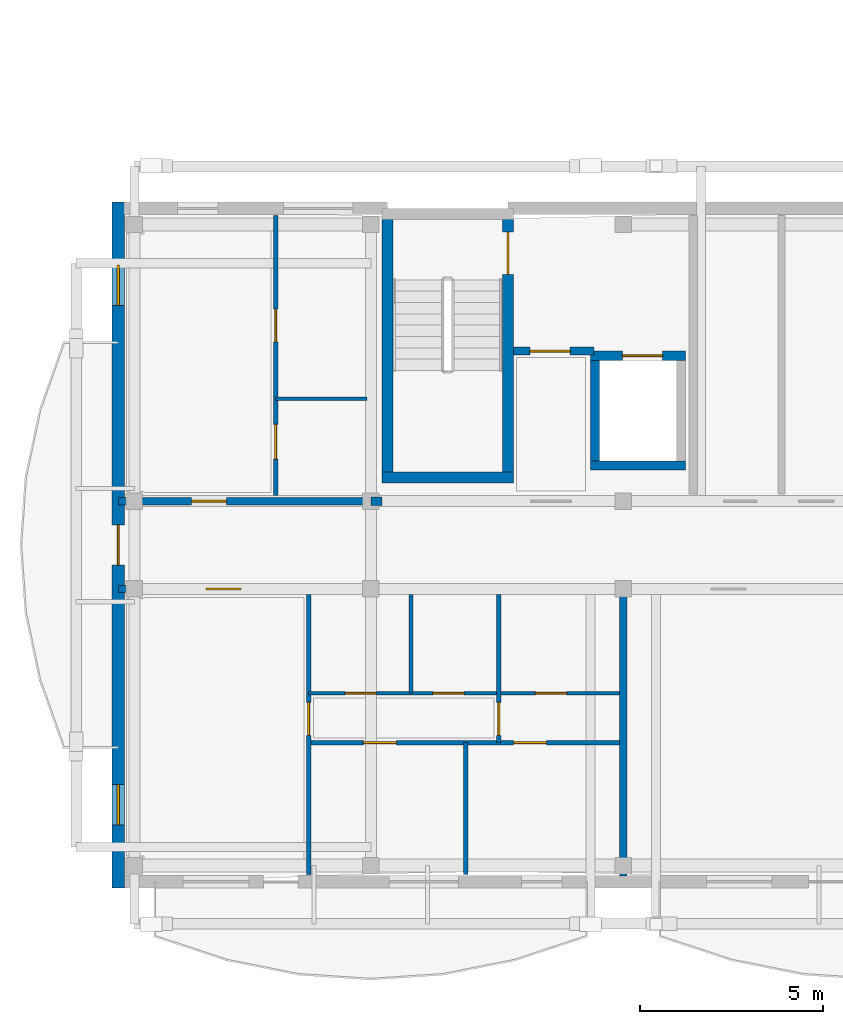
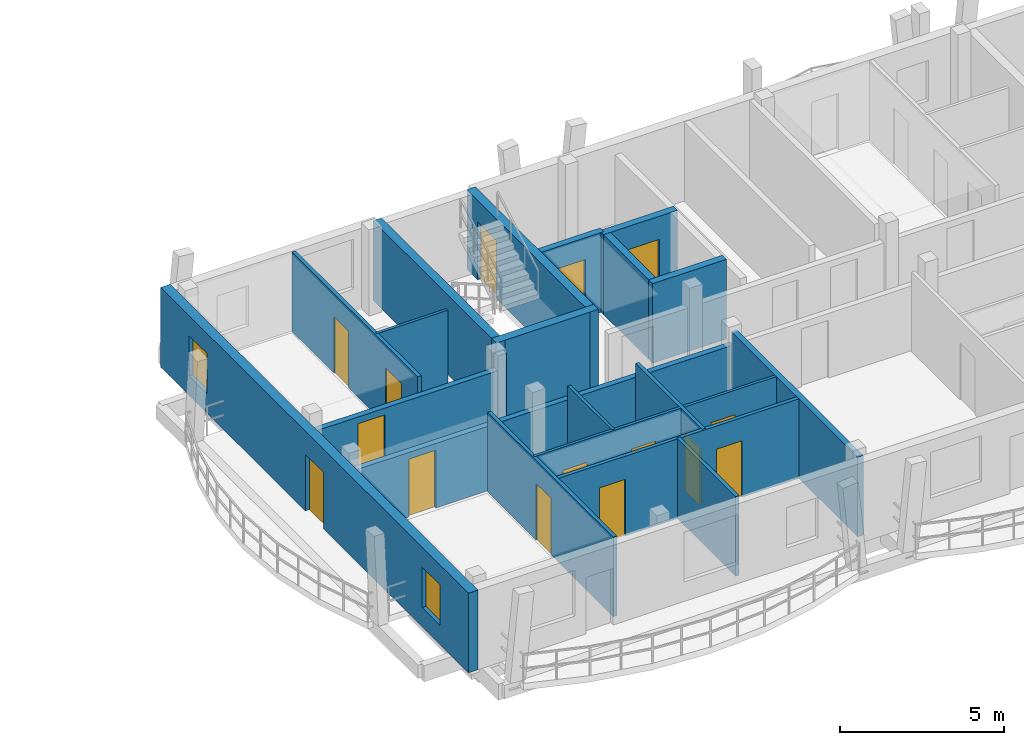
# One storey, part 13 of 33: 20 walls, 15 doors, 2 windows, 17 openings.
"""IFC4 building model written with IfcOpenShell, lengths in metres."""

from ifc_helpers import new_model, si_unit, direction, frame, frame_2d, origin, origin_with_axes, place, context, subcontext, project, spatial, rectangle, extrude, material, layer, layer_set, type_object, element, fill, save


model = new_model("IFC4")

# Units and contexts
model_context = context("Model", 3, precision=1e-05, world=origin(), true_north=direction((0.0, 1.0)))
body_context = subcontext(model_context, "Body", "Model", "MODEL_VIEW")
ifc_project = project(units=[si_unit("LENGTHUNIT", "METRE"), si_unit("AREAUNIT", "SQUARE_METRE"), si_unit("VOLUMEUNIT", "CUBIC_METRE"), si_unit("PLANEANGLEUNIT", "RADIAN"), si_unit("MASSUNIT", "GRAM", prefix="KILO")], contexts=[model_context])

# Site, building, storey
site_placement = place(None, origin())
site = spatial("IfcSite", under=ifc_project, at=site_placement, CompositionType="ELEMENT")
building_placement = place(site_placement, origin())
building = spatial("IfcBuilding", under=site, at=building_placement, Name="Zavelmont Quarter", CompositionType="ELEMENT")
storey_placement = place(building_placement, frame((0.0, 0.0, 30.39990234375)))
storey = spatial("IfcBuildingStorey", under=building, at=storey_placement, Name="L09", CompositionType="ELEMENT", Elevation=30.39990234375)

# Wall, openings, door, windows
ifc_material_1 = material(Name="Natural Belgian limestone", Category="masonry")
ifc_layer_1 = layer(ifc_material_1, 0.340087890625)
ifc_layer_set_1 = layer_set([ifc_layer_1], Name="Natural Belgian limestone")
wall_type_1 = type_object("IfcWallType", Name="EW03", PredefinedType="STANDARD", material=ifc_layer_set_1)
wall_1_placement = place(storey_placement, frame((0.0, -0.169921875, 0.0), z_axis=(0.0, 0.0, 1.0), x_axis=(0.0, 1.0, 0.0)))
wall_1 = element("IfcWall", 1, at=wall_1_placement, inside=storey, type_object=wall_type_1, Name="L09 exterior limestone wall EW03", PredefinedType="STANDARD", context=body_context, shape_type="SweptSolid", body=[
    extrude(rectangle(XDim=18.739990234375, YDim=0.340087890625, at=frame_2d((9.3701171875, 0.0))), origin(), (0.0, 0.0, 1.0), 2.960205078125),
])
opening_1_placement = place(wall_1_placement, frame((8.820068359375, 0.0, 0.0)))
opening_1 = element("IfcOpeningElement", 2, at=opening_1_placement, cuts=wall_1, Name="Opening DR04B", PredefinedType="OPENING", context=body_context, shape_type="SweptSolid", body=[
    extrude(rectangle(XDim=1.10009765625, YDim=2.10009765625, at=frame_2d((0.550048828125, 1.050048828125))), frame((0.0, 0.18212890625, 0.0), z_axis=(0.0, -1.0, 0.0), x_axis=(1.0, 0.0, 0.0)), (0.0, 0.0, 1.0), 0.364013671875),
])
opening_2_placement = place(wall_1_placement, frame((1.719970703125, 0.0, 0.719970703125)))
opening_2 = element("IfcOpeningElement", 3, at=opening_2_placement, cuts=wall_1, Name="Opening WN09", PredefinedType="OPENING", context=body_context, shape_type="SweptSolid", body=[
    extrude(rectangle(XDim=1.10009765625, YDim=1.5, at=frame_2d((0.550048828125, 0.75))), frame((0.0, 0.18212890625, 0.0), z_axis=(0.0, -1.0, 0.0), x_axis=(1.0, 0.0, 0.0)), (0.0, 0.0, 1.0), 0.364013671875),
])
opening_3_placement = place(wall_1_placement, frame((15.919921875, 0.0, 0.719970703125)))
opening_3 = element("IfcOpeningElement", 4, at=opening_3_placement, cuts=wall_1, Name="Opening WN09", PredefinedType="OPENING", context=body_context, shape_type="SweptSolid", body=[
    extrude(rectangle(XDim=1.10009765625, YDim=1.5, at=frame_2d((0.550048828125, 0.75))), frame((0.0, 0.18212890625, 0.0), z_axis=(0.0, -1.0, 0.0), x_axis=(1.0, 0.0, 0.0)), (0.0, 0.0, 1.0), 0.364013671875),
])
ifc_material_2 = material(Name="Thermally broken aluminium and double safety glass", Category="aluminium")
door_type_1 = type_object("IfcDoorType", Name="DR04B", OperationType="NOTDEFINED", PredefinedType="DOOR", material=ifc_material_2)
door_1_placement = place(opening_1_placement, frame((1.10009765625, 0.0, 0.0), z_axis=(0.0, 0.0, 1.0), x_axis=(-1.0, 0.0, 0.0)))
door_1 = element("IfcDoor", 5, at=door_1_placement, inside=storey, type_object=door_type_1, Name="Block A L09 terrace or vase balcony door", OperationType="SINGLE_SWING_LEFT", OverallHeight=2.10009765625, OverallWidth=1.10009765625, PredefinedType="DOOR", context=body_context, shape_type="SweptSolid", body=[
    extrude(rectangle(XDim=1.10009765625, YDim=2.10009765625, at=frame_2d((0.550048828125, 1.050048828125))), frame((0.0, 0.02490234375, 0.0), z_axis=(0.0, -1.0, 0.0), x_axis=(1.0, 0.0, 0.0)), (0.0, 0.0, 1.0), 0.050048828125),
])
fill(opening_1, door_1)
ifc_material_3 = material(Name="Double low-E insulated glazing in thermally broken aluminium frame", Category="aluminium")
window_type = type_object("IfcWindowType", Name="WN09", PartitioningType="SINGLE_PANEL", PredefinedType="WINDOW", material=ifc_material_3)
window_1_placement = place(opening_2_placement, origin_with_axes())
window_1 = element("IfcWindow", 6, at=window_1_placement, inside=storey, type_object=window_type, Name="L09 window WN09", OverallHeight=1.5, OverallWidth=1.10009765625, PartitioningType="SINGLE_PANEL", PredefinedType="WINDOW", context=body_context, shape_type="SweptSolid", body=[
    extrude(rectangle(XDim=1.10009765625, YDim=1.5, at=frame_2d((0.550048828125, 0.75))), frame((0.0, 0.030029296875, 0.0), z_axis=(0.0, -1.0, 0.0), x_axis=(1.0, 0.0, 0.0)), (0.0, 0.0, 1.0), 0.06005859375),
])
fill(opening_2, window_1)
window_2_placement = place(opening_3_placement, origin_with_axes())
window_2 = element("IfcWindow", 7, at=window_2_placement, inside=storey, type_object=window_type, Name="L09 window WN09", OverallHeight=1.5, OverallWidth=1.10009765625, PartitioningType="SINGLE_PANEL", PredefinedType="WINDOW", context=body_context, shape_type="SweptSolid", body=[
    extrude(rectangle(XDim=1.10009765625, YDim=1.5, at=frame_2d((0.550048828125, 0.75))), frame((0.0, 0.030029296875, 0.0), z_axis=(0.0, -1.0, 0.0), x_axis=(1.0, 0.0, 0.0)), (0.0, 0.0, 1.0), 0.06005859375),
])
fill(opening_3, window_2)

# Wall
ifc_material_4 = material(Name="Calcium-silicate blockwork and acoustic plaster", Category="masonry")
ifc_layer_2 = layer(ifc_material_4, 0.199951171875)
ifc_layer_set_2 = layer_set([ifc_layer_2], Name="Calcium-silicate blockwork and acoustic plaster")
wall_type_2 = type_object("IfcWallType", Name="IW01", PredefinedType="PARTITIONING", material=ifc_layer_set_2)
wall_2_placement = place(storey_placement, frame((13.800048828125, 7.85009765625, 0.0), z_axis=(0.0, 0.0, 1.0), x_axis=(0.0, -1.0, 0.0)))
element("IfcWall", 8, at=wall_2_placement, inside=storey, type_object=wall_type_2, Name="L09 Inter-dwelling compartment wall IW01", PredefinedType="PARTITIONING", context=body_context, shape_type="SweptSolid", body=[
    extrude(rectangle(XDim=7.7001953125, YDim=0.199951171875, at=frame_2d((3.85009765625, 0.0))), origin(), (0.0, 0.0, 1.0), 2.960205078125),
])

# Wall, opening, door
wall_3_placement = place(storey_placement, frame((0.0, 8.0, 0.0), z_axis=(0.0, 0.0, 1.0), x_axis=(1.0, 0.0, 0.0)))
wall_3 = element("IfcWall", 9, at=wall_3_placement, inside=storey, type_object=wall_type_2, Name="L09 Corridor compartment wall IW01", PredefinedType="PARTITIONING", context=body_context, shape_type="SweptSolid", body=[
    extrude(rectangle(XDim=13.800048828125, YDim=0.199951171875, at=frame_2d((6.89990234375, 0.0))), origin(), (0.0, 0.0, 1.0), 2.400146484375),
])
opening_4_placement = place(wall_3_placement, frame((2.39990234375, 0.0, 0.0)))
opening_4 = element("IfcOpeningElement", 10, at=opening_4_placement, cuts=wall_3, Name="Opening DR02", PredefinedType="OPENING", context=body_context, shape_type="SweptSolid", body=[
    extrude(rectangle(XDim=0.949951171875, YDim=2.14990234375, at=frame_2d((0.47509765625, 1.074951171875))), frame((0.0, 0.11181640625, 0.0), z_axis=(0.0, -1.0, 0.0), x_axis=(1.0, 0.0, 0.0)), (0.0, 0.0, 1.0), 0.223876953125),
])
ifc_material_5 = material(Name="Solid-core oak fire leaf in steel frame", Category="steel")
door_type_2 = type_object("IfcDoorType", Name="DR02", OperationType="NOTDEFINED", PredefinedType="DOOR", material=ifc_material_5)
door_2_placement = place(opening_4_placement, frame((0.949951171875, 0.0, 0.0), z_axis=(0.0, 0.0, 1.0), x_axis=(-1.0, 0.0, 0.0)))
door_2 = element("IfcDoor", 11, at=door_2_placement, inside=storey, type_object=door_type_2, Name="L09 door DR02", OperationType="SINGLE_SWING_LEFT", OverallHeight=2.14990234375, OverallWidth=0.949951171875, PredefinedType="DOOR", context=body_context, shape_type="SweptSolid", body=[
    extrude(rectangle(XDim=0.949951171875, YDim=2.14990234375, at=frame_2d((0.47509765625, 1.074951171875))), frame((0.0, 0.02490234375, 0.0), z_axis=(0.0, -1.0, 0.0), x_axis=(1.0, 0.0, 0.0)), (0.0, 0.0, 1.0), 0.050048828125),
])
fill(opening_4, door_2)

wall_4_placement = place(storey_placement, frame((0.0, 10.39990234375, 0.0), z_axis=(0.0, 0.0, 1.0), x_axis=(1.0, 0.0, 0.0)))
wall_4 = element("IfcWall", 12, at=wall_4_placement, inside=storey, type_object=wall_type_2, Name="L09 Corridor compartment wall IW01", PredefinedType="PARTITIONING", context=body_context, shape_type="SweptSolid", body=[
    extrude(rectangle(XDim=6.89990234375, YDim=0.199951171875, at=frame_2d((3.449951171875, 0.0))), origin(), (0.0, 0.0, 1.0), 2.400146484375),
])
opening_5_placement = place(wall_4_placement, frame((2.0, 0.0, 0.0)))
opening_5 = element("IfcOpeningElement", 13, at=opening_5_placement, cuts=wall_4, Name="Opening DR02", PredefinedType="OPENING", context=body_context, shape_type="SweptSolid", body=[
    extrude(rectangle(XDim=0.949951171875, YDim=2.14990234375, at=frame_2d((0.47509765625, 1.074951171875))), frame((0.0, 0.11181640625, 0.0), z_axis=(0.0, -1.0, 0.0), x_axis=(1.0, 0.0, 0.0)), (0.0, 0.0, 1.0), 0.223876953125),
])
door_3_placement = place(opening_5_placement, origin_with_axes())
door_3 = element("IfcDoor", 14, at=door_3_placement, inside=storey, type_object=door_type_2, Name="L09 door DR02", OperationType="SINGLE_SWING_RIGHT", OverallHeight=2.14990234375, OverallWidth=0.949951171875, PredefinedType="DOOR", context=body_context, shape_type="SweptSolid", body=[
    extrude(rectangle(XDim=0.949951171875, YDim=2.14990234375, at=frame_2d((0.47509765625, 1.074951171875))), frame((0.0, 0.02490234375, 0.0), z_axis=(0.0, -1.0, 0.0), x_axis=(1.0, 0.0, 0.0)), (0.0, 0.0, 1.0), 0.050048828125),
])
fill(opening_5, door_3)

ifc_material_6 = material(Name="Reinforced masonry fire compartment wall", Category="masonry")
ifc_layer_3 = layer(ifc_material_6, 0.22509765625)
ifc_layer_set_3 = layer_set([ifc_layer_3], Name="Reinforced masonry fire compartment wall")
wall_type_3 = type_object("IfcWallType", Name="IW02", PredefinedType="PARTITIONING", material=ifc_layer_set_3)
wall_5_placement = place(storey_placement, frame((10.800048828125, 14.5, 0.0), z_axis=(0.0, 0.0, 1.0), x_axis=(1.0, 0.0, 0.0)))
wall_5 = element("IfcWall", 15, at=wall_5_placement, inside=storey, type_object=wall_type_3, Name="L09 Firefighting lobby threshold wall IW02", PredefinedType="PARTITIONING", context=body_context, shape_type="SweptSolid", body=[
    extrude(rectangle(XDim=2.199951171875, YDim=0.22509765625, at=frame_2d((1.10009765625, 0.0))), origin(), (0.0, 0.0, 1.0), 2.960205078125),
])
opening_6_placement = place(wall_5_placement, frame((0.449951171875, 0.0, 0.0)))
opening_6 = element("IfcOpeningElement", 16, at=opening_6_placement, cuts=wall_5, Name="Opening DR10", PredefinedType="OPENING", context=body_context, shape_type="SweptSolid", body=[
    extrude(rectangle(XDim=1.10009765625, YDim=2.14990234375, at=frame_2d((0.550048828125, 1.074951171875))), frame((0.0, 0.12451171875, 0.0), z_axis=(0.0, -1.0, 0.0), x_axis=(1.0, 0.0, 0.0)), (0.0, 0.0, 1.0), 0.2490234375),
])
ifc_material_7 = material(Name="Painted steel lobby fire door", Category="steel")
door_type_3 = type_object("IfcDoorType", Name="DR10", OperationType="NOTDEFINED", PredefinedType="DOOR", material=ifc_material_7)
door_4_placement = place(opening_6_placement, origin_with_axes())
door_4 = element("IfcDoor", 17, at=door_4_placement, inside=storey, type_object=door_type_3, Name="Firefighting lobby fire door", OperationType="SINGLE_SWING_LEFT", OverallHeight=2.14990234375, OverallWidth=1.10009765625, PredefinedType="DOOR", context=body_context, shape_type="SweptSolid", body=[
    extrude(rectangle(XDim=1.10009765625, YDim=2.14990234375, at=frame_2d((0.550048828125, 1.074951171875))), frame((0.0, 0.02490234375, 0.0), z_axis=(0.0, -1.0, 0.0), x_axis=(1.0, 0.0, 0.0)), (0.0, 0.0, 1.0), 0.050048828125),
])
fill(opening_6, door_4)

# Wall
wall_6_placement = place(storey_placement, frame((6.89990234375, 10.39990234375, 0.0), z_axis=(0.0, 0.0, 1.0), x_axis=(1.0, 0.0, 0.0)))
element("IfcWall", 18, at=wall_6_placement, inside=storey, type_object=wall_type_3, Name="L09 Core corridor wall IW02", PredefinedType="PARTITIONING", context=body_context, shape_type="SweptSolid", body=[
    extrude(rectangle(XDim=0.300048828125, YDim=0.22509765625, at=frame_2d((0.14990234375, 0.0))), origin(), (0.0, 0.0, 1.0), 2.960205078125),
])

# Wall, opening, door
ifc_material_8 = material(Name="Double gypsum board on acoustic steel stud", Category="steel")
ifc_layer_4 = layer(ifc_material_8, 0.125)
ifc_layer_set_4 = layer_set([ifc_layer_4], Name="Double gypsum board on acoustic steel stud")
wall_type_4 = type_object("IfcWallType", Name="IW03", PredefinedType="PARTITIONING", material=ifc_layer_set_4)
wall_7_placement = place(storey_placement, frame((5.199951171875, 7.85009765625, 0.0), z_axis=(0.0, 0.0, 1.0), x_axis=(0.0, -1.0, 0.0)))
wall_7 = element("IfcWall", 19, at=wall_7_placement, inside=storey, type_object=wall_type_4, Name="L09 Partition IW03", PredefinedType="PARTITIONING", context=body_context, shape_type="SweptSolid", body=[
    extrude(rectangle(XDim=7.650146484375, YDim=0.125, at=frame_2d((3.8251953125, 0.0))), origin(), (0.0, 0.0, 1.0), 2.960205078125),
])
opening_7_placement = place(wall_7_placement, frame((2.949951171875, 0.0, 0.0)))
opening_7 = element("IfcOpeningElement", 20, at=opening_7_placement, cuts=wall_7, Name="Opening DR05", PredefinedType="OPENING", context=body_context, shape_type="SweptSolid", body=[
    extrude(rectangle(XDim=0.89990234375, YDim=2.10009765625, at=frame_2d((0.449951171875, 1.050048828125))), frame((0.0, 0.074462890625, 0.0), z_axis=(0.0, -1.0, 0.0), x_axis=(1.0, 0.0, 0.0)), (0.0, 0.0, 1.0), 0.14892578125),
])
ifc_material_9 = material(Name="Engineered oak flush interior door")
door_type_4 = type_object("IfcDoorType", Name="DR05", OperationType="NOTDEFINED", PredefinedType="DOOR", material=ifc_material_9)
door_5_placement = place(opening_7_placement, origin_with_axes())
door_5 = element("IfcDoor", 21, at=door_5_placement, inside=storey, type_object=door_type_4, Name="L09 door DR05", OperationType="SINGLE_SWING_LEFT", OverallHeight=2.10009765625, OverallWidth=0.89990234375, PredefinedType="DOOR", context=body_context, shape_type="SweptSolid", body=[
    extrude(rectangle(XDim=0.89990234375, YDim=2.10009765625, at=frame_2d((0.449951171875, 1.050048828125))), frame((0.0, 0.02490234375, 0.0), z_axis=(0.0, -1.0, 0.0), x_axis=(1.0, 0.0, 0.0)), (0.0, 0.0, 1.0), 0.050048828125),
])
fill(opening_7, door_5)

wall_8_placement = place(storey_placement, frame((10.39990234375, 7.85009765625, 0.0), z_axis=(0.0, 0.0, 1.0), x_axis=(0.0, -1.0, 0.0)))
wall_8 = element("IfcWall", 22, at=wall_8_placement, inside=storey, type_object=wall_type_4, Name="L09 Partition IW03", PredefinedType="PARTITIONING", context=body_context, shape_type="SweptSolid", body=[
    extrude(rectangle(XDim=4.050048828125, YDim=0.125, at=frame_2d((2.02490234375, 0.0))), origin(), (0.0, 0.0, 1.0), 2.960205078125),
])
opening_8_placement = place(wall_8_placement, frame((2.949951171875, 0.0, 0.0)))
opening_8 = element("IfcOpeningElement", 23, at=opening_8_placement, cuts=wall_8, Name="Opening DR05", PredefinedType="OPENING", context=body_context, shape_type="SweptSolid", body=[
    extrude(rectangle(XDim=0.89990234375, YDim=2.10009765625, at=frame_2d((0.449951171875, 1.050048828125))), frame((0.0, 0.074462890625, 0.0), z_axis=(0.0, -1.0, 0.0), x_axis=(1.0, 0.0, 0.0)), (0.0, 0.0, 1.0), 0.14892578125),
])
door_6_placement = place(opening_8_placement, frame((0.89990234375, 0.0, 0.0), z_axis=(0.0, 0.0, 1.0), x_axis=(-1.0, 0.0, 0.0)))
door_6 = element("IfcDoor", 24, at=door_6_placement, inside=storey, type_object=door_type_4, Name="L09 door DR05", OperationType="SINGLE_SWING_RIGHT", OverallHeight=2.10009765625, OverallWidth=0.89990234375, PredefinedType="DOOR", context=body_context, shape_type="SweptSolid", body=[
    extrude(rectangle(XDim=0.89990234375, YDim=2.10009765625, at=frame_2d((0.449951171875, 1.050048828125))), frame((0.0, 0.02490234375, 0.0), z_axis=(0.0, -1.0, 0.0), x_axis=(1.0, 0.0, 0.0)), (0.0, 0.0, 1.0), 0.050048828125),
])
fill(opening_8, door_6)

# Wall
wall_9_placement = place(storey_placement, frame((9.5, 3.800048828125, 0.0), z_axis=(0.0, 0.0, 1.0), x_axis=(0.0, -1.0, 0.0)))
element("IfcWall", 25, at=wall_9_placement, inside=storey, type_object=wall_type_4, Name="L09 Partition IW03", PredefinedType="PARTITIONING", context=body_context, shape_type="SweptSolid", body=[
    extrude(rectangle(XDim=3.60009765625, YDim=0.125, at=frame_2d((1.800048828125, 0.0))), origin(), (0.0, 0.0, 1.0), 2.960205078125),
])

# Wall, openings, doors
wall_10_placement = place(storey_placement, frame((5.199951171875, 3.800048828125, 0.0), z_axis=(0.0, 0.0, 1.0), x_axis=(1.0, 0.0, 0.0)))
wall_10 = element("IfcWall", 26, at=wall_10_placement, inside=storey, type_object=wall_type_4, Name="L09 Partition IW03", PredefinedType="PARTITIONING", context=body_context, shape_type="SweptSolid", body=[
    extrude(rectangle(XDim=8.5, YDim=0.125, at=frame_2d((4.25, 0.0))), origin(), (0.0, 0.0, 1.0), 2.960205078125),
])
opening_9_placement = place(wall_10_placement, frame((1.5, 0.0, 0.0)))
opening_9 = element("IfcOpeningElement", 27, at=opening_9_placement, cuts=wall_10, Name="Opening DR05", PredefinedType="OPENING", context=body_context, shape_type="SweptSolid", body=[
    extrude(rectangle(XDim=0.89990234375, YDim=2.10009765625, at=frame_2d((0.449951171875, 1.050048828125))), frame((0.0, 0.074462890625, 0.0), z_axis=(0.0, -1.0, 0.0), x_axis=(1.0, 0.0, 0.0)), (0.0, 0.0, 1.0), 0.14892578125),
])
opening_10_placement = place(wall_10_placement, frame((5.60009765625, 0.0, 0.0)))
opening_10 = element("IfcOpeningElement", 28, at=opening_10_placement, cuts=wall_10, Name="Opening DR05", PredefinedType="OPENING", context=body_context, shape_type="SweptSolid", body=[
    extrude(rectangle(XDim=0.89990234375, YDim=2.10009765625, at=frame_2d((0.449951171875, 1.050048828125))), frame((0.0, 0.074462890625, 0.0), z_axis=(0.0, -1.0, 0.0), x_axis=(1.0, 0.0, 0.0)), (0.0, 0.0, 1.0), 0.14892578125),
])
door_7_placement = place(opening_9_placement, frame((0.89990234375, 0.0, 0.0), z_axis=(0.0, 0.0, 1.0), x_axis=(-1.0, 0.0, 0.0)))
door_7 = element("IfcDoor", 29, at=door_7_placement, inside=storey, type_object=door_type_4, Name="L09 door DR05", OperationType="SINGLE_SWING_RIGHT", OverallHeight=2.10009765625, OverallWidth=0.89990234375, PredefinedType="DOOR", context=body_context, shape_type="SweptSolid", body=[
    extrude(rectangle(XDim=0.89990234375, YDim=2.10009765625, at=frame_2d((0.449951171875, 1.050048828125))), frame((0.0, 0.02490234375, 0.0), z_axis=(0.0, -1.0, 0.0), x_axis=(1.0, 0.0, 0.0)), (0.0, 0.0, 1.0), 0.050048828125),
])
fill(opening_9, door_7)
door_8_placement = place(opening_10_placement, origin_with_axes())
door_8 = element("IfcDoor", 30, at=door_8_placement, inside=storey, type_object=door_type_4, Name="L09 door DR05", OperationType="SINGLE_SWING_LEFT", OverallHeight=2.10009765625, OverallWidth=0.89990234375, PredefinedType="DOOR", context=body_context, shape_type="SweptSolid", body=[
    extrude(rectangle(XDim=0.89990234375, YDim=2.10009765625, at=frame_2d((0.449951171875, 1.050048828125))), frame((0.0, 0.02490234375, 0.0), z_axis=(0.0, -1.0, 0.0), x_axis=(1.0, 0.0, 0.0)), (0.0, 0.0, 1.0), 0.050048828125),
])
fill(opening_10, door_8)

wall_11_placement = place(storey_placement, frame((4.300048828125, 10.550048828125, 0.0), z_axis=(0.0, 0.0, 1.0), x_axis=(0.0, 1.0, 0.0)))
wall_11 = element("IfcWall", 31, at=wall_11_placement, inside=storey, type_object=wall_type_4, Name="L09 Partition IW03", PredefinedType="PARTITIONING", context=body_context, shape_type="SweptSolid", body=[
    extrude(rectangle(XDim=7.64990234375, YDim=0.125, at=frame_2d((3.824951171875, 0.0))), origin(), (0.0, 0.0, 1.0), 2.960205078125),
])
opening_11_placement = place(wall_11_placement, frame((1.0, 0.0, 0.0)))
opening_11 = element("IfcOpeningElement", 32, at=opening_11_placement, cuts=wall_11, Name="Opening DR17", PredefinedType="OPENING", context=body_context, shape_type="SweptSolid", body=[
    extrude(rectangle(XDim=0.949951171875, YDim=2.10009765625, at=frame_2d((0.47509765625, 1.050048828125))), frame((0.0, 0.074462890625, 0.0), z_axis=(0.0, -1.0, 0.0), x_axis=(1.0, 0.0, 0.0)), (0.0, 0.0, 1.0), 0.14892578125),
])
opening_12_placement = place(wall_11_placement, frame((4.199951171875, 0.0, 0.0)))
opening_12 = element("IfcOpeningElement", 33, at=opening_12_placement, cuts=wall_11, Name="Opening DR05", PredefinedType="OPENING", context=body_context, shape_type="SweptSolid", body=[
    extrude(rectangle(XDim=0.89990234375, YDim=2.10009765625, at=frame_2d((0.449951171875, 1.050048828125))), frame((0.0, 0.074462890625, 0.0), z_axis=(0.0, -1.0, 0.0), x_axis=(1.0, 0.0, 0.0)), (0.0, 0.0, 1.0), 0.14892578125),
])
door_9_placement = place(opening_12_placement, origin_with_axes())
door_9 = element("IfcDoor", 34, at=door_9_placement, inside=storey, type_object=door_type_4, Name="L09 door DR05", OperationType="SINGLE_SWING_LEFT", OverallHeight=2.10009765625, OverallWidth=0.89990234375, PredefinedType="DOOR", context=body_context, shape_type="SweptSolid", body=[
    extrude(rectangle(XDim=0.89990234375, YDim=2.10009765625, at=frame_2d((0.449951171875, 1.050048828125))), frame((0.0, 0.02490234375, 0.0), z_axis=(0.0, -1.0, 0.0), x_axis=(1.0, 0.0, 0.0)), (0.0, 0.0, 1.0), 0.050048828125),
])
fill(opening_12, door_9)
ifc_material_10 = material(Name="Accessible washroom flush door")
door_type_5 = type_object("IfcDoorType", Name="DR17", OperationType="NOTDEFINED", PredefinedType="DOOR", material=ifc_material_10)
door_10_placement = place(opening_11_placement, frame((0.949951171875, 0.0, 0.0), z_axis=(0.0, 0.0, 1.0), x_axis=(-1.0, 0.0, 0.0)))
door_10 = element("IfcDoor", 35, at=door_10_placement, inside=storey, type_object=door_type_5, Name="L09 door DR17", OperationType="SINGLE_SWING_RIGHT", OverallHeight=2.10009765625, OverallWidth=0.949951171875, PredefinedType="DOOR", context=body_context, shape_type="SweptSolid", body=[
    extrude(rectangle(XDim=0.949951171875, YDim=2.10009765625, at=frame_2d((0.47509765625, 1.050048828125))), frame((0.0, 0.02490234375, 0.0), z_axis=(0.0, -1.0, 0.0), x_axis=(1.0, 0.0, 0.0)), (0.0, 0.0, 1.0), 0.050048828125),
])
fill(opening_11, door_10)

# Wall
ifc_material_11 = material(Name="Moisture-resistant gypsum board on steel stud", Category="steel")
ifc_layer_5 = layer(ifc_material_11, 0.10009765625)
ifc_layer_set_5 = layer_set([ifc_layer_5], Name="Moisture-resistant gypsum board on steel stud")
wall_type_5 = type_object("IfcWallType", Name="IW04", PredefinedType="PARTITIONING", material=ifc_layer_set_5)
wall_12_placement = place(storey_placement, frame((8.0, 7.85009765625, 0.0), z_axis=(0.0, 0.0, 1.0), x_axis=(0.0, -1.0, 0.0)))
element("IfcWall", 36, at=wall_12_placement, inside=storey, type_object=wall_type_5, Name="L09 Partition IW04", PredefinedType="PARTITIONING", context=body_context, shape_type="SweptSolid", body=[
    extrude(rectangle(XDim=2.7001953125, YDim=0.10009765625, at=frame_2d((1.35009765625, 0.0))), origin(), (0.0, 0.0, 1.0), 2.960205078125),
])

# Wall, openings, doors
wall_13_placement = place(storey_placement, frame((5.199951171875, 5.14990234375, 0.0), z_axis=(0.0, 0.0, 1.0), x_axis=(1.0, 0.0, 0.0)))
wall_13 = element("IfcWall", 37, at=wall_13_placement, inside=storey, type_object=wall_type_5, Name="L09 Partition IW04", PredefinedType="PARTITIONING", context=body_context, shape_type="SweptSolid", body=[
    extrude(rectangle(XDim=8.5, YDim=0.10009765625, at=frame_2d((4.25, 0.0))), origin(), (0.0, 0.0, 1.0), 2.960205078125),
])
opening_13_placement = place(wall_13_placement, frame((1.0, 0.0, 0.0)))
opening_13 = element("IfcOpeningElement", 38, at=opening_13_placement, cuts=wall_13, Name="Opening DR16", PredefinedType="OPENING", context=body_context, shape_type="SweptSolid", body=[
    extrude(rectangle(XDim=0.85009765625, YDim=2.10009765625, at=frame_2d((0.425048828125, 1.050048828125))), frame((0.0, 0.06201171875, 0.0), z_axis=(0.0, -1.0, 0.0), x_axis=(1.0, 0.0, 0.0)), (0.0, 0.0, 1.0), 0.1240234375),
])
opening_14_placement = place(wall_13_placement, frame((3.39990234375, 0.0, 0.0)))
opening_14 = element("IfcOpeningElement", 39, at=opening_14_placement, cuts=wall_13, Name="Opening DR06", PredefinedType="OPENING", context=body_context, shape_type="SweptSolid", body=[
    extrude(rectangle(XDim=0.85009765625, YDim=2.050048828125, at=frame_2d((0.425048828125, 1.02490234375))), frame((0.0, 0.06201171875, 0.0), z_axis=(0.0, -1.0, 0.0), x_axis=(1.0, 0.0, 0.0)), (0.0, 0.0, 1.0), 0.1240234375),
])
opening_15_placement = place(wall_13_placement, frame((6.199951171875, 0.0, 0.0)))
opening_15 = element("IfcOpeningElement", 40, at=opening_15_placement, cuts=wall_13, Name="Opening DR06", PredefinedType="OPENING", context=body_context, shape_type="SweptSolid", body=[
    extrude(rectangle(XDim=0.85009765625, YDim=2.050048828125, at=frame_2d((0.425048828125, 1.02490234375))), frame((0.0, 0.06201171875, 0.0), z_axis=(0.0, -1.0, 0.0), x_axis=(1.0, 0.0, 0.0)), (0.0, 0.0, 1.0), 0.1240234375),
])
ifc_material_12 = material(Name="Moisture-resistant painted wet-room door")
door_type_6 = type_object("IfcDoorType", Name="DR06", OperationType="NOTDEFINED", PredefinedType="DOOR", material=ifc_material_12)
door_11_placement = place(opening_14_placement, frame((0.85009765625, 0.0, 0.0), z_axis=(0.0, 0.0, 1.0), x_axis=(-1.0, 0.0, 0.0)))
door_11 = element("IfcDoor", 41, at=door_11_placement, inside=storey, type_object=door_type_6, Name="L09 door DR06", OperationType="SINGLE_SWING_RIGHT", OverallHeight=2.050048828125, OverallWidth=0.85009765625, PredefinedType="DOOR", context=body_context, shape_type="SweptSolid", body=[
    extrude(rectangle(XDim=0.85009765625, YDim=2.050048828125, at=frame_2d((0.425048828125, 1.02490234375))), frame((0.0, 0.02490234375, 0.0), z_axis=(0.0, -1.0, 0.0), x_axis=(1.0, 0.0, 0.0)), (0.0, 0.0, 1.0), 0.050048828125),
])
fill(opening_14, door_11)
door_12_placement = place(opening_15_placement, origin_with_axes())
door_12 = element("IfcDoor", 42, at=door_12_placement, inside=storey, type_object=door_type_6, Name="L09 door DR06", OperationType="SINGLE_SWING_LEFT", OverallHeight=2.050048828125, OverallWidth=0.85009765625, PredefinedType="DOOR", context=body_context, shape_type="SweptSolid", body=[
    extrude(rectangle(XDim=0.85009765625, YDim=2.050048828125, at=frame_2d((0.425048828125, 1.02490234375))), frame((0.0, 0.02490234375, 0.0), z_axis=(0.0, -1.0, 0.0), x_axis=(1.0, 0.0, 0.0)), (0.0, 0.0, 1.0), 0.050048828125),
])
fill(opening_15, door_12)
door_type_7 = type_object("IfcDoorType", Name="DR16", OperationType="NOTDEFINED", PredefinedType="DOOR", material=ifc_material_9)
door_13_placement = place(opening_13_placement, origin_with_axes())
door_13 = element("IfcDoor", 43, at=door_13_placement, inside=storey, type_object=door_type_7, Name="L09 door DR16", OperationType="SINGLE_SWING_LEFT", OverallHeight=2.10009765625, OverallWidth=0.85009765625, PredefinedType="DOOR", context=body_context, shape_type="SweptSolid", body=[
    extrude(rectangle(XDim=0.85009765625, YDim=2.10009765625, at=frame_2d((0.425048828125, 1.050048828125))), frame((0.0, 0.02490234375, 0.0), z_axis=(0.0, -1.0, 0.0), x_axis=(1.0, 0.0, 0.0)), (0.0, 0.0, 1.0), 0.050048828125),
])
fill(opening_13, door_13)

# Walls
wall_14_placement = place(storey_placement, frame((4.300048828125, 13.199951171875, 0.0), z_axis=(0.0, 0.0, 1.0), x_axis=(1.0, 0.0, 0.0)))
element("IfcWall", 44, at=wall_14_placement, inside=storey, type_object=wall_type_5, Name="L09 Partition IW04", PredefinedType="PARTITIONING", context=body_context, shape_type="SweptSolid", body=[
    extrude(rectangle(XDim=2.5, YDim=0.10009765625, at=frame_2d((1.25, 0.0))), origin(), (0.0, 0.0, 1.0), 2.960205078125),
])
ifc_material_13 = material(Name="Concrete C40/50", Category="concrete")
ifc_layer_6 = layer(ifc_material_13, 0.300048828125)
ifc_layer_set_6 = layer_set([ifc_layer_6], Name="Concrete C40/50")
wall_type_6 = type_object("IfcWallType", Name="SW01", PredefinedType="SHEAR", material=ifc_layer_set_6)
wall_15_placement = place(storey_placement, frame((7.199951171875, 11.050048828125, 0.0), z_axis=(0.0, 0.0, 1.0), x_axis=(1.0, 0.0, 0.0)))
element("IfcWall", 45, at=wall_15_placement, inside=storey, type_object=wall_type_6, Name="L09 ST01 corridor shear wall SW01", PredefinedType="SHEAR", context=body_context, shape_type="SweptSolid", body=[
    extrude(rectangle(XDim=3.60009765625, YDim=0.300048828125, at=frame_2d((1.800048828125, 0.0))), origin(), (0.0, 0.0, 1.0), 2.960205078125),
])
wall_16_placement = place(storey_placement, frame((7.35009765625, 10.89990234375, 0.0), z_axis=(0.0, 0.0, 1.0), x_axis=(0.0, 1.0, 0.0)))
element("IfcWall", 46, at=wall_16_placement, inside=storey, type_object=wall_type_6, Name="L09 ST01 west shear wall SW01", PredefinedType="SHEAR", context=body_context, shape_type="SweptSolid", body=[
    extrude(rectangle(XDim=7.5, YDim=0.300048828125, at=frame_2d((3.75, 0.0))), origin(), (0.0, 0.0, 1.0), 2.960205078125),
])

# Wall, opening, door
wall_17_placement = place(storey_placement, frame((10.64990234375, 10.89990234375, 0.0), z_axis=(0.0, 0.0, 1.0), x_axis=(0.0, 1.0, 0.0)))
wall_17 = element("IfcWall", 47, at=wall_17_placement, inside=storey, type_object=wall_type_6, Name="L09 ST01 lobby shear wall SW01", PredefinedType="SHEAR", context=body_context, shape_type="SweptSolid", body=[
    extrude(rectangle(XDim=7.5, YDim=0.300048828125, at=frame_2d((3.75, 0.0))), origin(), (0.0, 0.0, 1.0), 2.960205078125),
])
opening_16_placement = place(wall_17_placement, frame((5.699951171875, 0.0, 0.0)))
opening_16 = element("IfcOpeningElement", 48, at=opening_16_placement, cuts=wall_17, Name="Opening DR09", PredefinedType="OPENING", context=body_context, shape_type="SweptSolid", body=[
    extrude(rectangle(XDim=1.14990234375, YDim=2.14990234375, at=frame_2d((0.574951171875, 1.074951171875))), frame((0.0, 0.162109375, 0.0), z_axis=(0.0, -1.0, 0.0), x_axis=(1.0, 0.0, 0.0)), (0.0, 0.0, 1.0), 0.323974609375),
])
ifc_material_14 = material(Name="Painted steel stair-core fire door", Category="steel")
door_type_8 = type_object("IfcDoorType", Name="DR09", OperationType="NOTDEFINED", PredefinedType="DOOR", material=ifc_material_14)
door_14_placement = place(opening_16_placement, origin_with_axes())
door_14 = element("IfcDoor", 49, at=door_14_placement, inside=storey, type_object=door_type_8, Name="ST01 protected stair door", OperationType="SINGLE_SWING_LEFT", OverallHeight=2.14990234375, OverallWidth=1.14990234375, PredefinedType="DOOR", context=body_context, shape_type="SweptSolid", body=[
    extrude(rectangle(XDim=1.14990234375, YDim=2.14990234375, at=frame_2d((0.574951171875, 1.074951171875))), frame((0.0, 0.02490234375, 0.0), z_axis=(0.0, -1.0, 0.0), x_axis=(1.0, 0.0, 0.0)), (0.0, 0.0, 1.0), 0.050048828125),
])
fill(opening_16, door_14)

ifc_layer_7 = layer(ifc_material_13, 0.25)
ifc_layer_set_7 = layer_set([ifc_layer_7], Name="Concrete C40/50")
wall_type_7 = type_object("IfcWallType", Name="SW02", PredefinedType="SHEAR", material=ifc_layer_set_7)
wall_18_placement = place(storey_placement, frame((12.89990234375, 14.375, 0.0), z_axis=(0.0, 0.0, 1.0), x_axis=(1.0, 0.0, 0.0)))
wall_18 = element("IfcWall", 50, at=wall_18_placement, inside=storey, type_object=wall_type_7, Name="L09 Lift FL01 landing shaft wall SW02", PredefinedType="SHEAR", context=body_context, shape_type="SweptSolid", body=[
    extrude(rectangle(XDim=2.60009765625, YDim=0.25, at=frame_2d((1.300048828125, 0.0))), origin(), (0.0, 0.0, 1.0), 2.960205078125),
])
opening_17_placement = place(wall_18_placement, frame((0.875, 0.0, 0.0)))
opening_17 = element("IfcOpeningElement", 51, at=opening_17_placement, cuts=wall_18, Name="Opening LD02", PredefinedType="OPENING", context=body_context, shape_type="SweptSolid", body=[
    extrude(rectangle(XDim=1.10009765625, YDim=2.10009765625, at=frame_2d((0.550048828125, 1.050048828125))), frame((0.0, 0.136962890625, 0.0), z_axis=(0.0, -1.0, 0.0), x_axis=(1.0, 0.0, 0.0)), (0.0, 0.0, 1.0), 0.27392578125),
])
ifc_material_15 = material(Name="Brushed stainless-steel firefighting lift landing door", Category="steel")
door_type_9 = type_object("IfcDoorType", Name="LD02", OperationType="SLIDING_TO_LEFT", PredefinedType="DOOR", material=ifc_material_15)
door_15_placement = place(opening_17_placement, origin_with_axes())
door_15 = element("IfcDoor", 52, at=door_15_placement, inside=storey, type_object=door_type_9, Name="Lift FL01 sliding landing door", OperationType="SLIDING_TO_LEFT", OverallHeight=2.10009765625, OverallWidth=1.10009765625, PredefinedType="DOOR", context=body_context, shape_type="SweptSolid", body=[
    extrude(rectangle(XDim=1.10009765625, YDim=2.10009765625, at=frame_2d((0.550048828125, 1.050048828125))), frame((0.0, 0.02490234375, 0.0), z_axis=(0.0, -1.0, 0.0), x_axis=(1.0, 0.0, 0.0)), (0.0, 0.0, 1.0), 0.050048828125),
])
fill(opening_17, door_15)

# Walls
wall_19_placement = place(storey_placement, frame((12.89990234375, 11.375, 0.0), z_axis=(0.0, 0.0, 1.0), x_axis=(1.0, 0.0, 0.0)))
element("IfcWall", 53, at=wall_19_placement, inside=storey, type_object=wall_type_7, Name="L09 Lift FL01 back shaft wall SW02", PredefinedType="SHEAR", context=body_context, shape_type="SweptSolid", body=[
    extrude(rectangle(XDim=2.60009765625, YDim=0.25, at=frame_2d((1.300048828125, 0.0))), origin(), (0.0, 0.0, 1.0), 2.960205078125),
])
wall_20_placement = place(storey_placement, frame((13.02490234375, 11.25, 0.0), z_axis=(0.0, 0.0, 1.0), x_axis=(0.0, 1.0, 0.0)))
element("IfcWall", 54, at=wall_20_placement, inside=storey, type_object=wall_type_7, Name="L09 Lift FL01 west shaft wall SW02", PredefinedType="SHEAR", context=body_context, shape_type="SweptSolid", body=[
    extrude(rectangle(XDim=3.25, YDim=0.25, at=frame_2d((1.625, 0.0))), origin(), (0.0, 0.0, 1.0), 2.960205078125),
])

save(model, "model.ifc")
